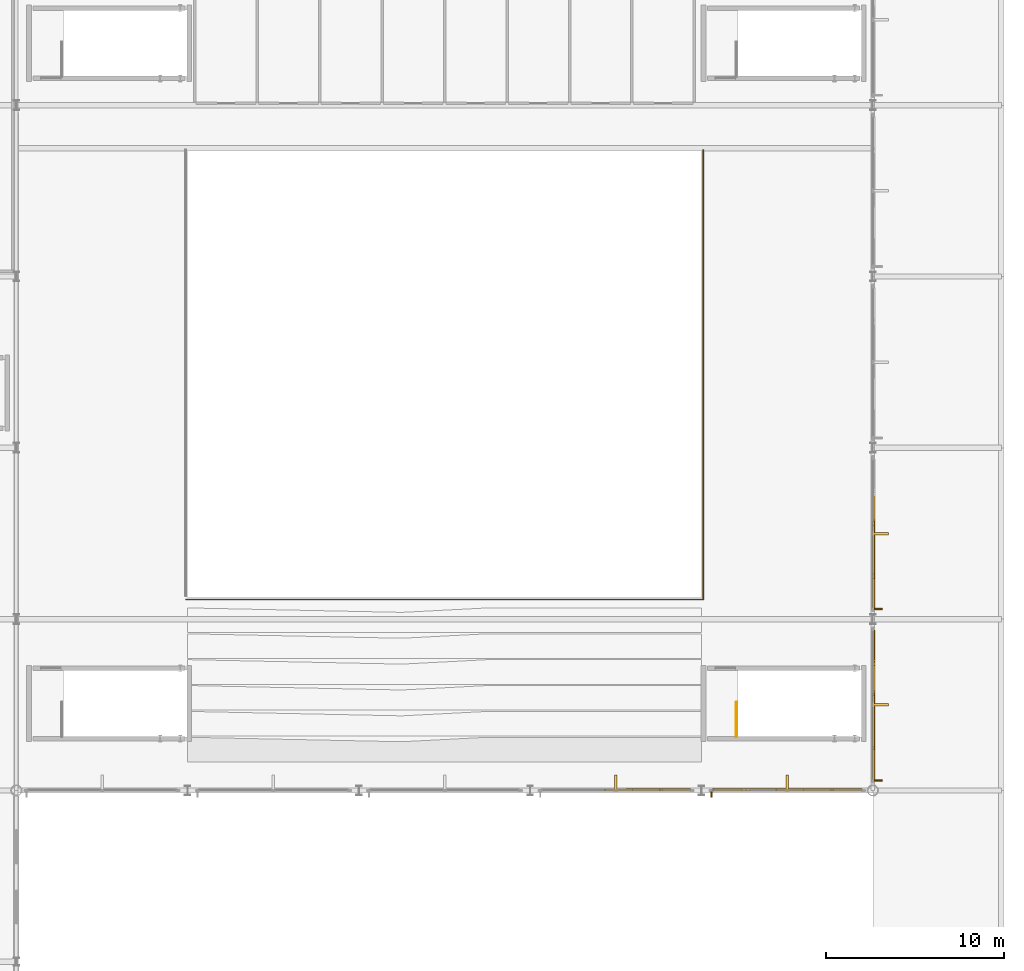
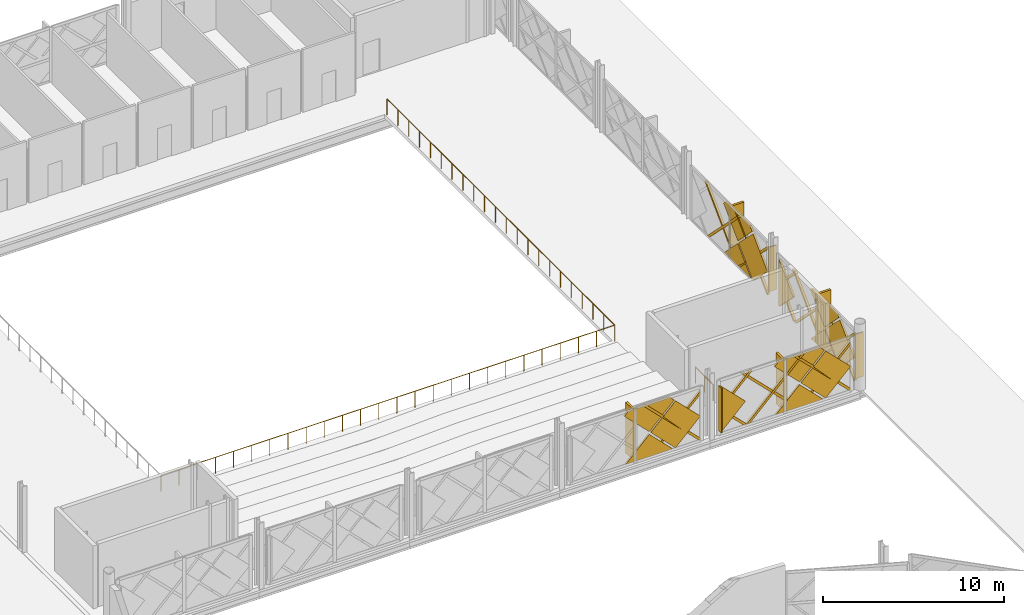
# One storey, part 99 of 101: 36 coverings, 3 shading devices, 2 railings.
"""IFC4 building model written with IfcOpenShell, lengths in metres."""

from ifc_helpers import new_model, si_unit, direction, frame, origin, origin_2d, place, context, subcontext, project, spatial, polyline, rectangle, circle, outline, extrude, material, layer, layer_set, type_object, element, save


model = new_model("IFC4")

# Units and contexts
model_context = context("Model", 3, precision=1e-05, world=origin(), true_north=direction((0.0, 1.0)))
body_context = subcontext(model_context, "Body", "Model", "MODEL_VIEW")
ifc_project = project(units=[si_unit("LENGTHUNIT", "METRE"), si_unit("AREAUNIT", "SQUARE_METRE"), si_unit("VOLUMEUNIT", "CUBIC_METRE"), si_unit("PLANEANGLEUNIT", "RADIAN"), si_unit("MASSUNIT", "GRAM", prefix="KILO")], contexts=[model_context])

# Site, building, storey
site_placement = place(None, origin())
site = spatial("IfcSite", under=ifc_project, at=site_placement, CompositionType="ELEMENT")
building_placement = place(site_placement, origin())
building = spatial("IfcBuilding", under=site, at=building_placement, Name="Zevrakil Square Congress Hotel", CompositionType="ELEMENT")
storey_placement = place(building_placement, frame((0.0, 0.0, 5.39990234375)))
storey = spatial("IfcBuildingStorey", under=building, at=storey_placement, Name="L02", CompositionType="ELEMENT", Elevation=5.39990234375)

# Coverings
ifc_material_1 = material(Name="Architectural White Fibre-C GRC", Category="concrete")
ifc_layer_1 = layer(ifc_material_1, 0.06494140625)
ifc_layer_set_1 = layer_set([ifc_layer_1], Name="Architectural White Fibre-C GRC")
covering_type_1 = type_object("IfcCoveringType", Name="COV-DIA-WHITE", PredefinedType="CLADDING", material=ifc_layer_set_1)
covering_1_placement = place(storey_placement, frame((165.694091796875, 68.679931640625, 1.590087890625), z_axis=(0.999999790873, 0.0, 0.000646725815), x_axis=(0.000457304257, 0.707106707249, -0.707106707249)))
element("IfcCovering", 1, at=covering_1_placement, inside=storey, type_object=covering_type_1, Name="L02 45-degree white GRC diamond facade cassette 883", PredefinedType="CLADDING", context=body_context, shape_type="SweptSolid", body=[
    extrude(outline(polyline([(0.0, 0.0), (2.1354765131557993, 0.0), (4.465861884739297e-07, -2.1354765131557527), (0.0, 0.0)])), origin(), (0.0, 0.0, -1.0), 0.1201171875),
])
covering_2_placement = place(storey_placement, frame((165.693115234375, 67.0, 3.27001953125), z_axis=(0.999999856488, 2.41659e-07, 0.000535746851), x_axis=(0.000378630288, 0.70716100192, -0.707052454916)))
element("IfcCovering", 2, at=covering_2_placement, inside=storey, type_object=covering_type_1, Name="L02 45-degree white GRC diamond facade cassette 884", PredefinedType="CLADDING", context=body_context, shape_type="SweptSolid", body=[
    extrude(outline(polyline([(0.0, 0.0), (2.248551442001582, 2.220446049250313e-16), (2.248379120041563, -2.2487239697677768), (0.01381109549741355, -2.248552500098768), (-0.0003437632191625184, -2.2343954703555884), (0.0, 0.0)])), origin(), (0.0, 0.0, -1.0), 0.1201171875),
])
covering_3_placement = place(storey_placement, frame((165.69482421875, 73.719970703125, 0.090087890625), z_axis=(0.999999852651, 7.1433782e-05, 0.000538140348), x_axis=(-0.000330011407, -0.707106743994, 0.70710674137)))
element("IfcCovering", 3, at=covering_3_placement, inside=storey, type_object=covering_type_1, Name="L02 45-degree white GRC diamond facade cassette 885", PredefinedType="CLADDING", context=body_context, shape_type="SweptSolid", body=[
    extrude(outline(polyline([(0.0, 0.0), (2.2487239795431924, 2.220446049250313e-16), (2.2485516641646086, -2.248551438871932), (2.16378862445315, -2.2487240842472933), (-1.5763824273706817e-10, -0.08493566992819268), (0.0, 0.0)])), origin(), (0.0, 0.0, -1.0), 0.1201171875),
])
covering_4_placement = place(storey_placement, frame((165.693115234375, 70.27001953125, 3.360107421875), z_axis=(0.999999789328, 0.0, 0.000649109559), x_axis=(0.000458989791, -0.707106749961, -0.707106663445)))
element("IfcCovering", 4, at=covering_4_placement, inside=storey, type_object=covering_type_1, Name="L02 45-degree white GRC diamond facade cassette 886", PredefinedType="CLADDING", context=body_context, shape_type="SweptSolid", body=[
    extrude(outline(polyline([(0.0, 0.0), (2.2487239595900896, 0.0), (2.2485511275002406, -2.248551326090957), (2.0576183939545447, -2.2485514096054278), (-1.0037753703229235e-07, -0.19093273354568754), (0.0, 0.0)])), origin(), (0.0, 0.0, -1.0), 0.1201171875),
])
covering_5_placement = place(storey_placement, frame((165.694091796875, 78.280029296875, 1.590087890625), z_axis=(0.999999790873, 0.0, 0.000646725815), x_axis=(0.000457304257, 0.707106707249, -0.707106707249)))
element("IfcCovering", 5, at=covering_5_placement, inside=storey, type_object=covering_type_1, Name="L02 45-degree white GRC diamond facade cassette 916", PredefinedType="CLADDING", context=body_context, shape_type="SweptSolid", body=[
    extrude(outline(polyline([(0.0, 0.0), (2.1354765131557993, 0.0), (4.465861884739297e-07, -2.1354765131557527), (0.0, 0.0)])), origin(), (0.0, 0.0, -1.0), 0.1201171875),
])
covering_6_placement = place(storey_placement, frame((165.693115234375, 76.60009765625, 3.27001953125), z_axis=(0.999999856488, 2.41678e-07, 0.000535746722), x_axis=(0.000378659283, 0.707106715571, -0.707106745415)))
element("IfcCovering", 6, at=covering_6_placement, inside=storey, type_object=covering_type_1, Name="L02 45-degree white GRC diamond facade cassette 917", PredefinedType="CLADDING", context=body_context, shape_type="SweptSolid", body=[
    extrude(outline(polyline([(0.0, 0.0), (2.248378801899082, 2.220446049250313e-16), (2.248551760168468, -2.248551342862844), (0.013983729045442761, -2.2485514331189314), (-0.00017221654148569243, -2.2343954901628624), (0.0, 0.0)])), origin(), (0.0, 0.0, -1.0), 0.1201171875),
])
covering_7_placement = place(storey_placement, frame((165.693115234375, 79.8701171875, 3.360107421875), z_axis=(0.999999828985, 0.0, 0.000584833987), x_axis=(0.000413540099, -0.707106746408, -0.707106695039)))
element("IfcCovering", 7, at=covering_7_placement, inside=storey, type_object=covering_type_1, Name="L02 45-degree white GRC diamond facade cassette 919", PredefinedType="CLADDING", context=body_context, shape_type="SweptSolid", body=[
    extrude(outline(polyline([(0.0, 0.0), (2.2487239708896865, -2.220446049250313e-16), (2.2487237496845225, -2.248723970889676), (1.9162315725230248, -2.248724027067478), (-8.88847899171985e-08, -0.33249217716149015), (0.0, 0.0)])), origin(), (0.0, 0.0, -1.0), 0.1201171875),
])
covering_8_placement = place(storey_placement, frame((152.1201171875, 64.89404296875, 1.590087890625), z_axis=(0.0, 0.999999790873, 0.000646725815), x_axis=(-0.707106707249, 0.000457304257, -0.707106707249)))
element("IfcCovering", 8, at=covering_8_placement, inside=storey, type_object=covering_type_1, Name="L02 45-degree white GRC diamond facade cassette 1115", PredefinedType="CLADDING", context=body_context, shape_type="SweptSolid", body=[
    extrude(outline(polyline([(0.0, 0.0), (2.1354765131557993, 0.0), (0.00017308005963778683, -2.1353038796462007), (0.0, 0.0)])), origin(), (0.0, 0.0, -1.0), 0.1201171875),
])
covering_9_placement = place(storey_placement, frame((153.800048828125, 64.89306640625, 3.27001953125), z_axis=(0.0, 0.999999812555, 0.000612282237), x_axis=(-0.707161000838, 0.000432915721, -0.707052424844)))
element("IfcCovering", 9, at=covering_9_placement, inside=storey, type_object=covering_type_1, Name="L02 45-degree white GRC diamond facade cassette 1116", PredefinedType="CLADDING", context=body_context, shape_type="SweptSolid", body=[
    extrude(outline(polyline([(0.0, 0.0), (2.2485514454845923, 0.0), (2.248379222880032, -2.2487240657380214), (0.013983748838055643, -2.248379882955194), (-0.0001711092764935529, -2.234222853853795), (0.0, 0.0)])), origin(), (0.0, 0.0, -1.0), 0.1201171875),
])
covering_10_placement = place(storey_placement, frame((150.530029296875, 64.89306640625, 3.360107421875), z_axis=(0.0, 0.999999832177, 0.000579349913), x_axis=(0.707106746172, 0.000409662272, -0.707106697532)))
element("IfcCovering", 10, at=covering_10_placement, inside=storey, type_object=covering_type_1, Name="L02 45-degree white GRC diamond facade cassette 1118", PredefinedType="CLADDING", context=body_context, shape_type="SweptSolid", body=[
    extrude(outline(polyline([(0.0, 0.0), (2.24872397163871, -2.220446049250313e-16), (2.248551115452546, -2.2485513381386504), (1.9022482605459134, -2.2485513919469167), (-8.810449772522766e-08, -0.3463028549066256), (0.0, 0.0)])), origin(), (0.0, 0.0, -1.0), 0.1201171875),
])
covering_11_placement = place(storey_placement, frame((161.719970703125, 64.89404296875, 1.590087890625), z_axis=(0.0, 0.999999790873, 0.000646725815), x_axis=(-0.707106707249, 0.000457304257, -0.707106707249)))
element("IfcCovering", 11, at=covering_11_placement, inside=storey, type_object=covering_type_1, Name="L02 45-degree white GRC diamond facade cassette 1140", PredefinedType="CLADDING", context=body_context, shape_type="SweptSolid", body=[
    extrude(outline(polyline([(0.0, 0.0), (2.1354765131557993, 0.0), (4.465861884739297e-07, -2.1354765131557527), (0.0, 0.0)])), origin(), (0.0, 0.0, -1.0), 0.1201171875),
])
covering_12_placement = place(storey_placement, frame((163.39990234375, 64.89306640625, 3.27001953125), z_axis=(0.0, 0.999999812555, 0.000612281941), x_axis=(-0.707106714489, 0.000432948753, -0.707106715341)))
element("IfcCovering", 12, at=covering_12_placement, inside=storey, type_object=covering_type_1, Name="L02 45-degree white GRC diamond facade cassette 1141", PredefinedType="CLADDING", context=body_context, shape_type="SweptSolid", body=[
    extrude(outline(polyline([(0.0, 0.0), (2.2483788053823686, 2.220446049250313e-16), (2.2485518630143098, -2.2485514388251864), (0.013983735657622232, -2.2485514362281265), (-0.00017220932723183147, -2.23439549391379), (0.0, 0.0)])), origin(), (0.0, 0.0, -1.0), 0.1201171875),
])
covering_13_placement = place(storey_placement, frame((156.679931640625, 64.89501953125, 0.090087890625), z_axis=(4.3911e-08, 0.999999810879, 0.000615014432), x_axis=(0.707106714509, -0.000434911966, 0.707106714116)))
element("IfcCovering", 13, at=covering_13_placement, inside=storey, type_object=covering_type_1, Name="L02 45-degree white GRC diamond facade cassette 1142", PredefinedType="CLADDING", context=body_context, shape_type="SweptSolid", body=[
    extrude(outline(polyline([(0.0, 0.0), (2.2487240723345274, -2.220446049250313e-16), (2.248551862954323, -2.2485514388919943), (2.1639614601190895, -2.2485514548663854), (0.00017263345166069338, -0.0847630362800969), (0.0, 0.0)])), origin(), (0.0, 0.0, -1.0), 0.1201171875),
])
covering_14_placement = place(storey_placement, frame((160.1298828125, 64.89306640625, 3.360107421875), z_axis=(0.0, 0.999999832181, 0.000579342815), x_axis=(0.707106746172, 0.000409657254, -0.707106697535)))
element("IfcCovering", 14, at=covering_14_placement, inside=storey, type_object=covering_type_1, Name="L02 45-degree white GRC diamond facade cassette 1143", PredefinedType="CLADDING", context=body_context, shape_type="SweptSolid", body=[
    extrude(outline(polyline([(0.0, 0.0), (2.2487239716396576, -2.220446049250313e-16), (2.2487237489345504, -2.248723971639647), (1.9022482605454791, -2.248551391947205), (0.00017254537882177567, -0.3464754884061615), (0.0, 0.0)])), origin(), (0.0, 0.0, -1.0), 0.1201171875),
])
ifc_material_2 = material(Name="Anodised Champagne Aluminium", Category="aluminium")
ifc_layer_2 = layer(ifc_material_2, 0.0849609375)
ifc_layer_set_2 = layer_set([ifc_layer_2], Name="Anodised Champagne Aluminium")
covering_type_2 = type_object("IfcCoveringType", Name="COV-DIAGRID-45", PredefinedType="MOLDING", material=ifc_layer_set_2)
covering_15_placement = place(storey_placement, frame((165.719970703125, 65.506103515625, 0.080078125), z_axis=(0.999999902664, 0.000171915276, 0.000406345198), x_axis=(0.000171915262, -0.999999985223, 6.9857e-08)))
element("IfcCovering", 15, at=covering_15_placement, inside=storey, type_object=covering_type_2, Name="L02 45-degree aluminium diagrid rib 887", PredefinedType="MOLDING", context=body_context, shape_type="SweptSolid", body=[
    extrude(outline(polyline([(0.0, 0.0), (0.08618163935145674, 0.0), (0.08618164816884981, -0.12622069270444397), (-3.202880909252438, -3.415039574203444), (-3.415039109242285, -3.415039574203444), (0.0, 0.0)])), origin(), (0.0, 0.0, -1.0), 0.14501953125),
])
covering_16_placement = place(storey_placement, frame((165.719970703125, 68.8662109375, 0.080078125), z_axis=(0.999999836454, 0.0, 0.000571918694), x_axis=(0.0, -1.0, 0.0)))
element("IfcCovering", 16, at=covering_16_placement, inside=storey, type_object=covering_type_2, Name="L02 45-degree aluminium diagrid rib 888", PredefinedType="MOLDING", context=body_context, shape_type="SweptSolid", body=[
    extrude(outline(polyline([(0.0, 0.0), (0.21240234375, 0.0), (-3.20263671875, -3.415039621014395), (-3.414794921875, -3.415039621014395), (0.0, 0.0)])), origin(), (0.0, 0.0, -1.0), 0.14501953125),
])
covering_17_placement = place(storey_placement, frame((165.719970703125, 72.22607421875, 0.080078125), z_axis=(0.999999913482, 0.000294139249, 0.000294139249), x_axis=(0.000294139237, -0.999999956741, 8.6518e-08)))
element("IfcCovering", 17, at=covering_17_placement, inside=storey, type_object=covering_type_2, Name="L02 45-degree aluminium diagrid rib 889", PredefinedType="MOLDING", context=body_context, shape_type="SweptSolid", body=[
    extrude(outline(polyline([(0.0, 0.0), (0.2121581939472589, 0.0), (-1.553955145347468, -1.7661134920951609), (-1.5539551637029505, -1.5539552981479028), (0.0, 0.0)])), origin(), (0.0, 0.0, -1.0), 0.14501953125),
])
covering_18_placement = place(storey_placement, frame((165.718017578125, 65.419921875, 3.154052734375), z_axis=(0.999999905696, -0.00030708991, 0.00030708991), x_axis=(-0.000307089896, 9.4304e-08, 0.999999952848)))
element("IfcCovering", 18, at=covering_18_placement, inside=storey, type_object=covering_type_2, Name="L02 45-degree aluminium diagrid rib 890", PredefinedType="MOLDING", context=body_context, shape_type="SweptSolid", body=[
    extrude(outline(polyline([(0.0, 0.0), (0.2121581931212936, 0.0), (-3.0739747543193885, -3.2861332573369064), (-3.073974774326802, -3.0739750642156136), (0.0, 0.0)])), origin(), (0.0, 0.0, -1.0), 0.14501953125),
])
covering_19_placement = place(storey_placement, frame((165.718017578125, 68.43896484375, 3.4951171875), z_axis=(0.999999836454, 0.0, 0.000571918694), x_axis=(0.0, 1.0, 0.0)))
element("IfcCovering", 19, at=covering_19_placement, inside=storey, type_object=covering_type_2, Name="L02 45-degree aluminium diagrid rib 891", PredefinedType="MOLDING", context=body_context, shape_type="SweptSolid", body=[
    extrude(outline(polyline([(0.0, 0.0), (0.212158203125, 0.0), (3.627197265625, -3.415039621014395), (3.4150390625, -3.415039621014395), (0.0, 0.0)])), origin(), (0.0, 0.0, -1.0), 0.14501953125),
])
covering_20_placement = place(storey_placement, frame((165.718017578125, 71.798828125, 3.4951171875), z_axis=(0.999999932188, -0.000260557913, 0.000260258421), x_axis=(0.000260557904, 0.999999966055, 6.7812e-08)))
element("IfcCovering", 20, at=covering_20_placement, inside=storey, type_object=covering_type_2, Name="L02 45-degree aluminium diagrid rib 892", PredefinedType="MOLDING", context=body_context, shape_type="SweptSolid", body=[
    extrude(outline(polyline([(0.0, 0.0), (0.21215819592324447, 0.0), (1.9812012391272993, -1.768799022379314), (1.981201224723788, -1.9812013589358357), (0.0, 0.0)])), origin(), (0.0, 0.0, -1.0), 0.14501953125),
])
covering_21_placement = place(storey_placement, frame((165.719970703125, 75.106201171875, 0.080078125), z_axis=(0.999999883794, 0.000187841865, 0.000443989862), x_axis=(0.000187841846, -0.999999982358, 8.34e-08)))
element("IfcCovering", 21, at=covering_21_placement, inside=storey, type_object=covering_type_2, Name="L02 45-degree aluminium diagrid rib 920", PredefinedType="MOLDING", context=body_context, shape_type="SweptSolid", body=[
    extrude(outline(polyline([(0.0, 0.0), (0.08618163910455907, 0.0), (0.0861816496313512, -0.12622069068424482), (-3.3027344363086577, -3.515137347849475), (-3.5148926356907024, -3.515137347849475), (0.0, 0.0)])), origin(), (0.0, 0.0, -1.0), 0.14501953125),
])
covering_22_placement = place(storey_placement, frame((165.719970703125, 78.466064453125, 0.080078125), z_axis=(0.999999804633, 0.0, 0.000625086695), x_axis=(0.0, -1.0, 0.0)))
element("IfcCovering", 22, at=covering_22_placement, inside=storey, type_object=covering_type_2, Name="L02 45-degree aluminium diagrid rib 921", PredefinedType="MOLDING", context=body_context, shape_type="SweptSolid", body=[
    extrude(outline(polyline([(0.0, 0.0), (0.212158203125, 0.0), (-3.302734375, -3.515137405490821), (-3.51513671875, -3.515137405490821), (0.0, 0.0)])), origin(), (0.0, 0.0, -1.0), 0.14501953125),
])
covering_23_placement = place(storey_placement, frame((165.718017578125, 75.02001953125, 3.154052734375), z_axis=(0.999999905696, -0.00030708991, 0.00030708991), x_axis=(-0.000307089896, 9.4304e-08, 0.999999952848)))
element("IfcCovering", 23, at=covering_23_placement, inside=storey, type_object=covering_type_2, Name="L02 45-degree aluminium diagrid rib 923", PredefinedType="MOLDING", context=body_context, shape_type="SweptSolid", body=[
    extrude(outline(polyline([(0.0, 0.0), (0.2121581931212936, 0.0), (-3.0739747543193885, -3.2861332573369064), (-3.073974774326802, -3.0739750642156136), (0.0, 0.0)])), origin(), (0.0, 0.0, -1.0), 0.14501953125),
])
covering_24_placement = place(storey_placement, frame((165.7177734375, 77.93896484375, 3.59521484375), z_axis=(0.999999804633, 0.0, 0.000625086695), x_axis=(0.0, 1.0, 0.0)))
element("IfcCovering", 24, at=covering_24_placement, inside=storey, type_object=covering_type_2, Name="L02 45-degree aluminium diagrid rib 924", PredefinedType="MOLDING", context=body_context, shape_type="SweptSolid", body=[
    extrude(outline(polyline([(0.0, 0.0), (0.212158203125, 0.0), (3.72705078125, -3.5151374054908215), (3.514892578125, -3.5151374054908215), (0.0, 0.0)])), origin(), (0.0, 0.0, -1.0), 0.14501953125),
])
covering_25_placement = place(storey_placement, frame((155.2939453125, 64.919921875, 0.080078125), z_axis=(-0.000187315855, 0.999999884444, 0.000442746567), x_axis=(0.999999982456, 0.000187315837, 8.2933e-08)))
element("IfcCovering", 25, at=covering_25_placement, inside=storey, type_object=covering_type_2, Name="L02 45-degree aluminium diagrid rib 1119", PredefinedType="MOLDING", context=body_context, shape_type="SweptSolid", body=[
    extrude(outline(polyline([(0.0, 0.0), (0.08593749849234558, 2.274746684520826e-24), (0.08593750896026438, -0.12622069075382242), (-3.312744201757818, -3.5249029710981508), (-3.525146541781513, -3.5249029710981508), (0.0, 0.0)])), origin(), (0.0, 0.0, -1.0), 0.14501953125),
])
covering_26_placement = place(storey_placement, frame((155.3798828125, 64.918212890625, 3.154052734375), z_axis=(-0.000287488092, 0.999999586067, 0.000863259418), x_axis=(-8.2649e-08, -0.000863259477, 0.999999627391)))
element("IfcCovering", 26, at=covering_26_placement, inside=storey, type_object=covering_type_2, Name="L02 45-degree aluminium diagrid rib 1122", PredefinedType="MOLDING", context=body_context, shape_type="SweptSolid", body=[
    extrude(outline(polyline([(0.0, 0.0), (0.212158334829751, 1.3234889800848443e-23), (-3.0739746677062127, -3.2858890617254115), (-3.073974685240951, -3.0737308673677872), (0.0, 0.0)])), origin(), (0.0, 0.0, -1.0), 0.14501953125),
])
covering_27_placement = place(storey_placement, frame((164.893798828125, 64.919921875, 0.080078125), z_axis=(-0.000187311957, 0.999999884449, 0.000442737353), x_axis=(0.999999982457, 0.000187311939, 8.293e-08)))
element("IfcCovering", 27, at=covering_27_placement, inside=storey, type_object=covering_type_2, Name="L02 45-degree aluminium diagrid rib 1144", PredefinedType="MOLDING", context=body_context, shape_type="SweptSolid", body=[
    extrude(outline(polyline([(0.0, 0.0), (0.0861816391131254, 2.2812090330563966e-24), (0.08618164958060848, -0.12622069075433734), (-3.312744201763839, -3.524902971092284), (-3.5249024011669716, -3.524902971092284), (0.0, 0.0)])), origin(), (0.0, 0.0, -1.0), 0.14501953125),
])
covering_28_placement = place(storey_placement, frame((161.533935546875, 64.919921875, 0.080078125), z_axis=(0.0, 0.999999805714, 0.000623354914), x_axis=(1.0, 0.0, 0.0)))
element("IfcCovering", 28, at=covering_28_placement, inside=storey, type_object=covering_type_2, Name="L02 45-degree aluminium diagrid rib 1145", PredefinedType="MOLDING", context=body_context, shape_type="SweptSolid", body=[
    extrude(outline(polyline([(0.0, 0.0), (0.212158203125, 0.0), (-3.312744140625, -3.524903028588229), (-3.525146484375, -3.524903028588229), (0.0, 0.0)])), origin(), (0.0, 0.0, -1.0), 0.14501953125),
])
covering_29_placement = place(storey_placement, frame((158.173828125, 64.919921875, 0.080078125), z_axis=(-0.000294160881, 0.999999913469, 0.000294160881), x_axis=(0.999999956735, 0.000294160868, 8.6531e-08)))
element("IfcCovering", 29, at=covering_29_placement, inside=storey, type_object=covering_type_2, Name="L02 45-degree aluminium diagrid rib 1146", PredefinedType="MOLDING", context=body_context, shape_type="SweptSolid", body=[
    extrude(outline(polyline([(0.0, 0.0), (0.21215819394590898, 2.8078904387053947e-24), (-1.5537110047217924, -1.7661134921050472), (-1.5537110230799749, -1.5539552981591391), (0.0, 0.0)])), origin(), (0.0, 0.0, -1.0), 0.14501953125),
])
covering_30_placement = place(storey_placement, frame((164.97998046875, 64.918212890625, 3.154052734375), z_axis=(-0.000287477056, 0.99999958606, 0.000863270454), x_axis=(-8.2643e-08, -0.000863270513, 0.999999627382)))
element("IfcCovering", 30, at=covering_30_placement, inside=storey, type_object=covering_type_2, Name="L02 45-degree aluminium diagrid rib 1147", PredefinedType="MOLDING", context=body_context, shape_type="SweptSolid", body=[
    extrude(outline(polyline([(0.0, 0.0), (0.21215833483042407, 1.3234889800848443e-23), (-3.0739746676964605, -3.286133202330571), (-3.073974685229852, -3.0739750079722734), (0.0, 0.0)])), origin(), (0.0, 0.0, -1.0), 0.14501953125),
])
covering_31_placement = place(storey_placement, frame((162.071044921875, 64.917724609375, 3.60498046875), z_axis=(0.0, 0.999999805714, 0.000623354914), x_axis=(-1.0, 0.0, 0.0)))
element("IfcCovering", 31, at=covering_31_placement, inside=storey, type_object=covering_type_2, Name="L02 45-degree aluminium diagrid rib 1148", PredefinedType="MOLDING", context=body_context, shape_type="SweptSolid", body=[
    extrude(outline(polyline([(0.0, 0.0), (0.212158203125, 0.0), (3.737060546875, -3.5249030285882292), (3.52490234375, -3.5249030285882292), (0.0, 0.0)])), origin(), (0.0, 0.0, -1.0), 0.14501953125),
])
covering_32_placement = place(storey_placement, frame((158.711181640625, 64.917724609375, 3.60498046875), z_axis=(-0.000236459156, 0.99999955529, 0.00091296562), x_axis=(-0.999999972044, -0.000236459057, -2.15879e-07)))
element("IfcCovering", 32, at=covering_32_placement, inside=storey, type_object=covering_type_2, Name="L02 45-degree aluminium diagrid rib 1149", PredefinedType="MOLDING", context=body_context, shape_type="SweptSolid", body=[
    extrude(outline(polyline([(0.0, 0.0), (0.21240233781198098, 0.0), (2.091064511583775, -1.8786624408965298), (2.0910644997077372, -2.091064919019172), (0.0, 0.0)])), origin(), (0.0, 0.0, -1.0), 0.14501953125),
])
ifc_material_3 = material(Name="Architectural White Fibre-C GRC", Category="concrete")
ifc_layer_3 = layer(ifc_material_3, 0.139892578125)
ifc_layer_set_3 = layer_set([ifc_layer_3], Name="Architectural White Fibre-C GRC")
covering_type_3 = type_object("IfcCoveringType", Name="COV-FIN-GRC90", PredefinedType="MOLDING", material=ifc_layer_set_3)
covering_33_placement = place(storey_placement, frame((166.02001953125, 69.60009765625, 0.1201171875), z_axis=(0.0, 0.0, 1.0), x_axis=(1.0, 0.0, 0.0)))
element("IfcCovering", 33, at=covering_33_placement, inside=storey, type_object=covering_type_3, Name="L02 highland sun-breaker GRC fin 893", PredefinedType="MOLDING", context=body_context, shape_type="SweptSolid", body=[
    extrude(rectangle(XDim=0.89990234375, YDim=0.139892578125, at=origin_2d()), origin(), (0.0, 0.0, 1.0), 3.3349609375),
])
covering_34_placement = place(storey_placement, frame((166.02001953125, 79.199951171875, 0.1201171875), z_axis=(0.0, 0.0, 1.0), x_axis=(1.0, 0.0, 0.0)))
element("IfcCovering", 34, at=covering_34_placement, inside=storey, type_object=covering_type_3, Name="L02 highland sun-breaker GRC fin 926", PredefinedType="MOLDING", context=body_context, shape_type="SweptSolid", body=[
    extrude(rectangle(XDim=0.89990234375, YDim=0.139892578125, at=origin_2d()), origin(), (0.0, 0.0, 1.0), 3.43505859375),
])
for number, where, z_axis, x_axis, name in (
    (35, (151.199951171875, 65.219970703125, 0.1201171875), (0.0, 0.0, 1.0), (0.0, 1.0, 0.0), "L02 highland sun-breaker GRC fin 1125"),
    (36, (160.800048828125, 65.219970703125, 0.1201171875), (0.0, 0.0, 1.0), (0.0, 1.0, 0.0), "L02 highland sun-breaker GRC fin 1150"),
):
    element("IfcCovering", number, at=place(storey_placement, frame(where, z_axis=z_axis, x_axis=x_axis)), inside=storey, type_object=covering_type_3, Name=name, PredefinedType="MOLDING", context=body_context, shape_type="SweptSolid", body=[
        extrude(rectangle(XDim=0.89990234375, YDim=0.139892578125, at=origin_2d()), origin(), (0.0, 0.0, 1.0), 3.445068359375),
    ])

# Railings
ifc_material_4 = material(Name="Steel S355", Category="steel")
railing_type_1 = type_object("IfcRailingType", Name="RLG-STAIR-GUARD-1100", PredefinedType="BALUSTRADE", material=ifc_material_4)
railing_1_placement = place(storey_placement, frame((157.949951171875, 67.800048828125, 0.0)))
element("IfcRailing", 37, at=railing_1_placement, inside=storey, type_object=railing_type_1, Name="L02 ST09 top well guard 1", PredefinedType="BALUSTRADE", context=body_context, shape_type="SweptSolid", body=[
    extrude(circle(Radius=0.02392578125, at=origin_2d()), frame((0.0, 0.0, 1.076171875), z_axis=(0.0, 1.0, 0.0), x_axis=(-1.0, 0.0, 0.0)), (0.0, 0.0, 1.0), 1.949951171875),
    extrude(circle(Radius=0.02099609375, at=origin_2d()), origin(), (0.0, 0.0, 1.0), 1.052001953125),
    extrude(circle(Radius=0.02099609375, at=origin_2d()), frame((0.0, 0.97509765625, 0.0)), (0.0, 0.0, 1.0), 1.052001953125),
    extrude(circle(Radius=0.02099609375, at=origin_2d()), frame((0.0, 1.949951171875, 0.0)), (0.0, 0.0, 1.0), 1.052001953125),
])
ifc_material_5 = material(Name="Steel S355", Category="steel")
railing_type_2 = type_object("IfcRailingType", Name="RLG-TERR-1100", PredefinedType="BALUSTRADE", material=ifc_material_5)
railing_2_placement = place(storey_placement, frame((127.10009765625, 75.5, 0.0)))
element("IfcRailing", 38, at=railing_2_placement, inside=storey, type_object=railing_type_2, Name="L02 terrace and void safety balustrade guard 41", PredefinedType="BALUSTRADE", context=body_context, shape_type="SweptSolid", body=[
    extrude(circle(Radius=0.02392578125, at=origin_2d()), frame((0.0, 0.0, 1.076171875), z_axis=(1.0, 0.0, 0.0), x_axis=(0.0, 1.0, 0.0)), (0.0, 0.0, 1.0), 29.0),
    extrude(circle(Radius=0.02392578125, at=origin_2d()), frame((29.0, 0.0, 1.076171875), z_axis=(0.0, 1.0, 0.0), x_axis=(-1.0, 0.0, 0.0)), (0.0, 0.0, 1.0), 25.199951171875),
    extrude(circle(Radius=0.02099609375, at=origin_2d()), origin(), (0.0, 0.0, 1.0), 1.052001953125),
    extrude(circle(Radius=0.02099609375, at=origin_2d()), frame((1.159912109375, 0.0, 0.0)), (0.0, 0.0, 1.0), 1.052001953125),
    extrude(circle(Radius=0.02099609375, at=origin_2d()), frame((2.320068359375, 0.0, 0.0)), (0.0, 0.0, 1.0), 1.052001953125),
    extrude(circle(Radius=0.02099609375, at=origin_2d()), frame((3.47998046875, 0.0, 0.0)), (0.0, 0.0, 1.0), 1.052001953125),
    extrude(circle(Radius=0.02099609375, at=origin_2d()), frame((4.639892578125, 0.0, 0.0)), (0.0, 0.0, 1.0), 1.052001953125),
    extrude(circle(Radius=0.02099609375, at=origin_2d()), frame((5.800048828125, 0.0, 0.0)), (0.0, 0.0, 1.0), 1.052001953125),
    extrude(circle(Radius=0.02099609375, at=origin_2d()), frame((6.9599609375, 0.0, 0.0)), (0.0, 0.0, 1.0), 1.052001953125),
    extrude(circle(Radius=0.02099609375, at=origin_2d()), frame((8.1201171875, 0.0, 0.0)), (0.0, 0.0, 1.0), 1.052001953125),
    extrude(circle(Radius=0.02099609375, at=origin_2d()), frame((9.280029296875, 0.0, 0.0)), (0.0, 0.0, 1.0), 1.052001953125),
    extrude(circle(Radius=0.02099609375, at=origin_2d()), frame((10.43994140625, 0.0, 0.0)), (0.0, 0.0, 1.0), 1.052001953125),
    extrude(circle(Radius=0.02099609375, at=origin_2d()), frame((11.60009765625, 0.0, 0.0)), (0.0, 0.0, 1.0), 1.052001953125),
    extrude(circle(Radius=0.02099609375, at=origin_2d()), frame((12.760009765625, 0.0, 0.0)), (0.0, 0.0, 1.0), 1.052001953125),
    extrude(circle(Radius=0.02099609375, at=origin_2d()), frame((13.919921875, 0.0, 0.0)), (0.0, 0.0, 1.0), 1.052001953125),
    extrude(circle(Radius=0.02099609375, at=origin_2d()), frame((15.080078125, 0.0, 0.0)), (0.0, 0.0, 1.0), 1.052001953125),
    extrude(circle(Radius=0.02099609375, at=origin_2d()), frame((16.239990234375, 0.0, 0.0)), (0.0, 0.0, 1.0), 1.052001953125),
    extrude(circle(Radius=0.02099609375, at=origin_2d()), frame((17.39990234375, 0.0, 0.0)), (0.0, 0.0, 1.0), 1.052001953125),
    extrude(circle(Radius=0.02099609375, at=origin_2d()), frame((18.56005859375, 0.0, 0.0)), (0.0, 0.0, 1.0), 1.052001953125),
    extrude(circle(Radius=0.02099609375, at=origin_2d()), frame((19.719970703125, 0.0, 0.0)), (0.0, 0.0, 1.0), 1.052001953125),
    extrude(circle(Radius=0.02099609375, at=origin_2d()), frame((20.8798828125, 0.0, 0.0)), (0.0, 0.0, 1.0), 1.052001953125),
    extrude(circle(Radius=0.02099609375, at=origin_2d()), frame((22.0400390625, 0.0, 0.0)), (0.0, 0.0, 1.0), 1.052001953125),
    extrude(circle(Radius=0.02099609375, at=origin_2d()), frame((23.199951171875, 0.0, 0.0)), (0.0, 0.0, 1.0), 1.052001953125),
    extrude(circle(Radius=0.02099609375, at=origin_2d()), frame((24.360107421875, 0.0, 0.0)), (0.0, 0.0, 1.0), 1.052001953125),
    extrude(circle(Radius=0.02099609375, at=origin_2d()), frame((25.52001953125, 0.0, 0.0)), (0.0, 0.0, 1.0), 1.052001953125),
    extrude(circle(Radius=0.02099609375, at=origin_2d()), frame((26.679931640625, 0.0, 0.0)), (0.0, 0.0, 1.0), 1.052001953125),
    extrude(circle(Radius=0.02099609375, at=origin_2d()), frame((27.840087890625, 0.0, 0.0)), (0.0, 0.0, 1.0), 1.052001953125),
    extrude(circle(Radius=0.02099609375, at=origin_2d()), frame((29.0, 0.0, 0.0)), (0.0, 0.0, 1.0), 1.052001953125),
    extrude(circle(Radius=0.02099609375, at=origin_2d()), frame((29.0, 1.199951171875, 0.0)), (0.0, 0.0, 1.0), 1.052001953125),
    extrude(circle(Radius=0.02099609375, at=origin_2d()), frame((29.0, 2.39990234375, 0.0)), (0.0, 0.0, 1.0), 1.052001953125),
    extrude(circle(Radius=0.02099609375, at=origin_2d()), frame((29.0, 3.60009765625, 0.0)), (0.0, 0.0, 1.0), 1.052001953125),
    extrude(circle(Radius=0.02099609375, at=origin_2d()), frame((29.0, 4.800048828125, 0.0)), (0.0, 0.0, 1.0), 1.052001953125),
    extrude(circle(Radius=0.02099609375, at=origin_2d()), frame((29.0, 6.0, 0.0)), (0.0, 0.0, 1.0), 1.052001953125),
    extrude(circle(Radius=0.02099609375, at=origin_2d()), frame((29.0, 7.199951171875, 0.0)), (0.0, 0.0, 1.0), 1.052001953125),
    extrude(circle(Radius=0.02099609375, at=origin_2d()), frame((29.0, 8.39990234375, 0.0)), (0.0, 0.0, 1.0), 1.052001953125),
    extrude(circle(Radius=0.02099609375, at=origin_2d()), frame((29.0, 9.60009765625, 0.0)), (0.0, 0.0, 1.0), 1.052001953125),
    extrude(circle(Radius=0.02099609375, at=origin_2d()), frame((29.0, 10.800048828125, 0.0)), (0.0, 0.0, 1.0), 1.052001953125),
    extrude(circle(Radius=0.02099609375, at=origin_2d()), frame((29.0, 12.0, 0.0)), (0.0, 0.0, 1.0), 1.052001953125),
    extrude(circle(Radius=0.02099609375, at=origin_2d()), frame((29.0, 13.199951171875, 0.0)), (0.0, 0.0, 1.0), 1.052001953125),
    extrude(circle(Radius=0.02099609375, at=origin_2d()), frame((29.0, 14.39990234375, 0.0)), (0.0, 0.0, 1.0), 1.052001953125),
    extrude(circle(Radius=0.02099609375, at=origin_2d()), frame((29.0, 15.599853515625, 0.0)), (0.0, 0.0, 1.0), 1.052001953125),
    extrude(circle(Radius=0.02099609375, at=origin_2d()), frame((29.0, 16.800048828125, 0.0)), (0.0, 0.0, 1.0), 1.052001953125),
    extrude(circle(Radius=0.02099609375, at=origin_2d()), frame((29.0, 18.0, 0.0)), (0.0, 0.0, 1.0), 1.052001953125),
    extrude(circle(Radius=0.02099609375, at=origin_2d()), frame((29.0, 19.199951171875, 0.0)), (0.0, 0.0, 1.0), 1.052001953125),
    extrude(circle(Radius=0.02099609375, at=origin_2d()), frame((29.0, 20.39990234375, 0.0)), (0.0, 0.0, 1.0), 1.052001953125),
    extrude(circle(Radius=0.02099609375, at=origin_2d()), frame((29.0, 21.599853515625, 0.0)), (0.0, 0.0, 1.0), 1.052001953125),
    extrude(circle(Radius=0.02099609375, at=origin_2d()), frame((29.0, 22.800048828125, 0.0)), (0.0, 0.0, 1.0), 1.052001953125),
    extrude(circle(Radius=0.02099609375, at=origin_2d()), frame((29.0, 24.0, 0.0)), (0.0, 0.0, 1.0), 1.052001953125),
    extrude(circle(Radius=0.02099609375, at=origin_2d()), frame((29.0, 25.199951171875, 0.0)), (0.0, 0.0, 1.0), 1.052001953125),
])

# Shading devices
ifc_material_6 = material(Name="Aluminium Anodised Bronze", Category="aluminium")
shading_device_type_1 = type_object("IfcShadingDeviceType", Name="SHD-FIN-35", PredefinedType="JALOUSIE", material=ifc_material_6)
shading_device_placement = place(storey_placement, frame((156.56005859375, 64.60498046875, 0.342529296875), z_axis=(0.0, 0.0, 1.0), x_axis=(0.0, -1.0, 0.0)))
element("IfcShadingDevice", 39, at=shading_device_placement, inside=storey, type_object=shading_device_type_1, Name="L02 aluminium solar shading fin 66", PredefinedType="JALOUSIE", context=body_context, shape_type="SweptSolid", body=[
    extrude(rectangle(XDim=0.35009765625, YDim=0.080078125, at=origin_2d()), origin(), (0.0, 0.0, 1.0), 3.0),
])
ifc_material_7 = material(Name="Aluminium Anodised Bronze", Category="aluminium")
shading_device_type_2 = type_object("IfcShadingDeviceType", Name="SHD-FIN-50", PredefinedType="JALOUSIE", material=ifc_material_7)
for number, where, z_axis, x_axis, name in (
    (40, (165.8701171875, 65.360107421875, 0.28759765625), (0.0, 0.0, 1.0), (1.0, 0.0, 0.0), "L02 aluminium solar shading fin 50"),
    (41, (165.8701171875, 74.9599609375, 0.337646484375), (0.0, 0.0, 1.0), (1.0, 0.0, 0.0), "L02 aluminium solar shading fin 52"),
):
    element("IfcShadingDevice", number, at=place(storey_placement, frame(where, z_axis=z_axis, x_axis=x_axis)), inside=storey, type_object=shading_device_type_2, Name=name, PredefinedType="JALOUSIE", context=body_context, shape_type="SweptSolid", body=[
        extrude(rectangle(XDim=0.5, YDim=0.080078125, at=origin_2d()), origin(), (0.0, 0.0, 1.0), 3.0),
    ])

save(model, "model.ifc")
